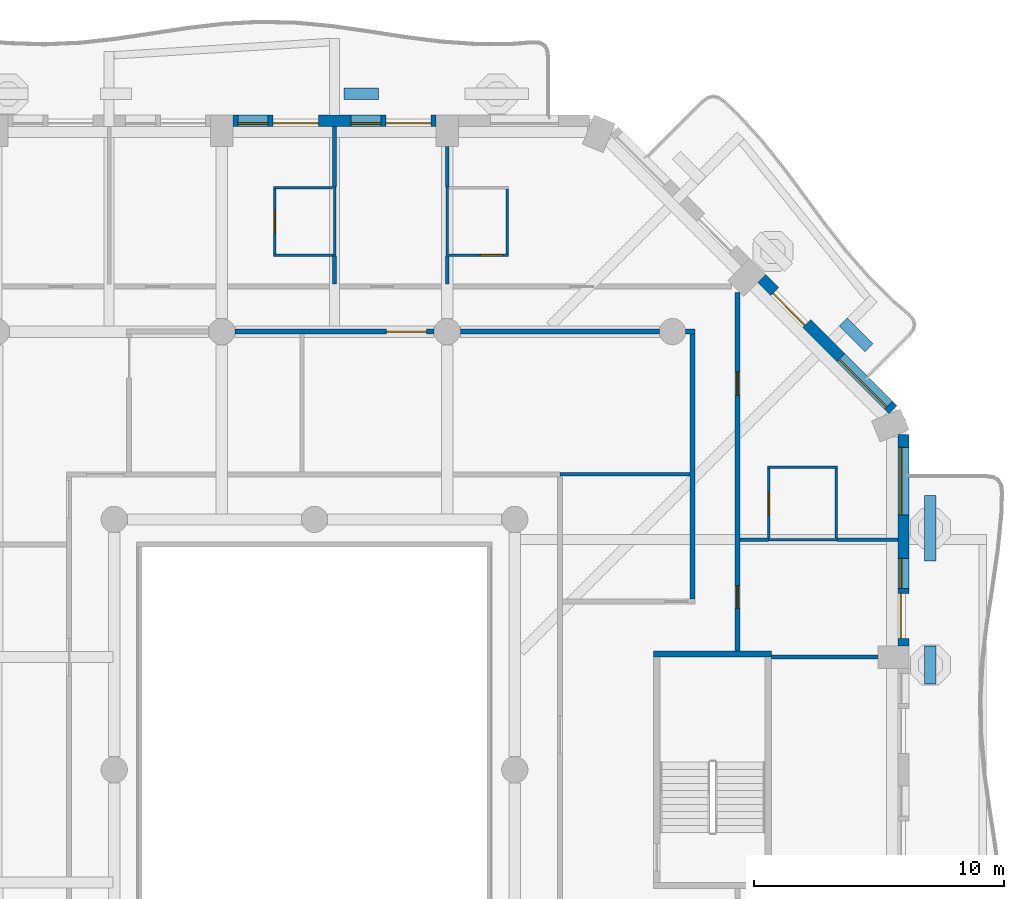
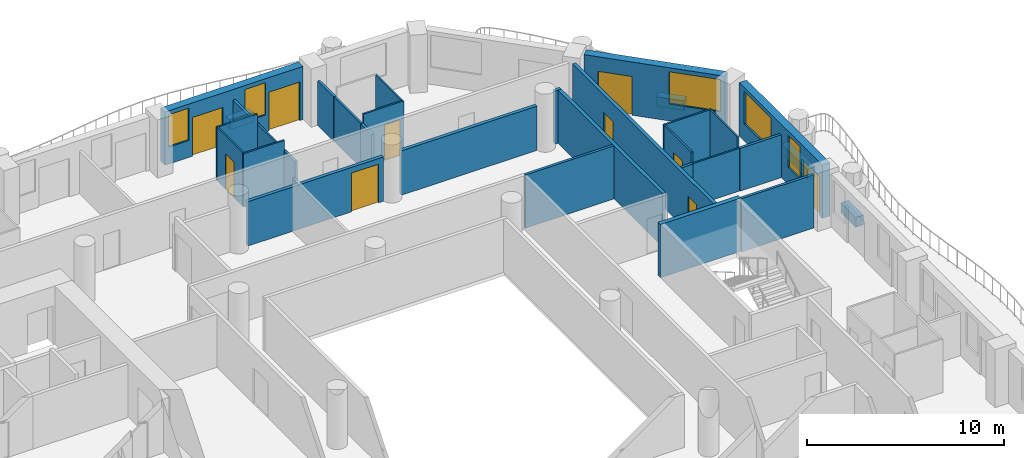
# One storey, part 9 of 21: 32 walls, 10 doors, 5 windows, 15 openings.
"""IFC4 building model written with IfcOpenShell, lengths in metres."""

import ifcopenshell
import ifcopenshell.guid

model = None  # the IFC model being written
_history = None  # IfcOwnerHistory: only IFC2X3 demands one
_inside = {}  # id of a spatial element -> (the spatial element, [elements in it])
_under = {}  # id of a project, library or spatial element -> (it, [spatial elements below it])
_declared = {}  # id of a project -> (the project, [libraries it declares])
_typed = {}  # id of a type object -> (the type object, [elements of that type])
_made_of = {}  # id of a material, layer set ... -> (it, [elements and type objects made of it])


def new_model(schema):
    """Start an empty IFC model of exactly this schema.

    Asked for "IFC4X3", IfcOpenShell would pick the latest addendum, in which some entities
    have other attributes; the version numbers below select the first issue.
    IFC2X3 requires an IfcOwnerHistory on every rooted entity: one is made here for all.
    """
    global model, _history
    if schema == "IFC4X3":
        model = ifcopenshell.file(schema_version=(4, 3, 0, 0))
    else:
        model = ifcopenshell.file(schema=schema)
    _inside.clear()
    _under.clear()
    _declared.clear()
    _typed.clear()
    _made_of.clear()
    _history = None
    if model.schema == "IFC2X3":
        org = make("IfcOrganization", Name="unknown")
        user = make(
            "IfcPersonAndOrganization",
            ThePerson=make("IfcPerson", FamilyName="unknown"),
            TheOrganization=org,
        )
        app = make(
            "IfcApplication",
            ApplicationDeveloper=org,
            Version="unknown",
            ApplicationFullName="unknown",
            ApplicationIdentifier="unknown",
        )
        _history = make(
            "IfcOwnerHistory",
            OwningUser=user,
            OwningApplication=app,
            ChangeAction="ADDED",
            CreationDate=0,
        )
    return model


def make(cls, **values):
    """One entity of the class cls with the attributes given. An attribute that is None is left unset."""
    return model.create_entity(
        cls, **{name: value for name, value in values.items() if value is not None}
    )


def rooted(cls, **values):
    """An entity with a GlobalId (a new one), such as an element, a storey or a relation."""
    return make(cls, GlobalId=ifcopenshell.guid.new(), OwnerHistory=_history, **values)


def si_unit(unit_type, name, prefix=None):
    """IfcSIUnit, for example si_unit("LENGTHUNIT", "METRE", prefix="MILLI")."""
    return make("IfcSIUnit", UnitType=unit_type, Prefix=prefix, Name=name)


def assignment(units):
    """IfcUnitAssignment: the units of a project."""
    return None if units is None else make("IfcUnitAssignment", Units=units)


def point(xyz):
    """IfcCartesianPoint."""
    return None if xyz is None else make("IfcCartesianPoint", Coordinates=xyz)


def direction(xyz):
    """IfcDirection."""
    return None if xyz is None else make("IfcDirection", DirectionRatios=xyz)


def frame(location, z_axis=None, x_axis=None):
    """IfcAxis2Placement3D, a coordinate frame: its origin and axes. An axis left out is left unset."""
    return make(
        "IfcAxis2Placement3D",
        Location=point(location),
        Axis=direction(z_axis),
        RefDirection=direction(x_axis),
    )


def frame_2d(location, x_axis=None):
    """IfcAxis2Placement2D, a coordinate frame in the plane: its origin and x axis."""
    return make(
        "IfcAxis2Placement2D", Location=point(location), RefDirection=direction(x_axis)
    )


def origin():
    """The frame at (0, 0, 0) with its axes left unset."""
    return frame((0.0, 0.0, 0.0))


def place(relative_to, where):
    """IfcLocalPlacement: puts the frame where relative to a parent placement (None: the world)."""
    return make(
        "IfcLocalPlacement", PlacementRelTo=relative_to, RelativePlacement=where
    )


def context(
    kind, dimensions, precision=None, world=None, true_north=None, identifier=None
):
    """IfcGeometricRepresentationContext, for example the 3D "Model" context."""
    return make(
        "IfcGeometricRepresentationContext",
        ContextIdentifier=identifier,
        ContextType=kind,
        CoordinateSpaceDimension=dimensions,
        Precision=precision,
        WorldCoordinateSystem=world,
        TrueNorth=true_north,
    )


def subcontext(parent, identifier, kind, view, scale=None):
    """IfcGeometricRepresentationSubContext, for example "Body" below "Model"."""
    return make(
        "IfcGeometricRepresentationSubContext",
        ContextIdentifier=identifier,
        ContextType=kind,
        ParentContext=parent,
        TargetScale=scale,
        TargetView=view,
    )


def project(units=None, contexts=None):
    """IfcProject with its units and contexts."""
    return rooted(
        "IfcProject",
        Name="project",
        RepresentationContexts=contexts,
        UnitsInContext=assignment(units),
    )


def spatial(cls, under=None, at=None, **own):
    """A site, building, storey or space (cls), placed at a placement, below another one or the project."""
    s = rooted(cls, ObjectPlacement=at, **own)
    if under is not None:
        _under.setdefault(under.id(), (under, []))[1].append(s)
    return s


def profile(cls, at=None, kind="AREA", **sizes):
    """A parametric profile (cls). Its sizes go by their IFC names, for example OverallWidth=200.0."""
    return make(cls, ProfileType=kind, Position=at, **sizes)


def rectangle(**sizes):
    """IfcRectangleProfileDef."""
    return profile("IfcRectangleProfileDef", **sizes)


def extrude(swept, where, along, depth):
    """IfcExtrudedAreaSolid: the profile swept, set in the frame where, extruded along a direction by depth."""
    return make(
        "IfcExtrudedAreaSolid",
        SweptArea=swept,
        Position=where,
        ExtrudedDirection=direction(along),
        Depth=depth,
    )


def shape(context_of_items, identifier, shape_type, items):
    """IfcShapeRepresentation: the items that make up one representation, for example the "Body"."""
    return make(
        "IfcShapeRepresentation",
        ContextOfItems=context_of_items,
        RepresentationIdentifier=identifier,
        RepresentationType=shape_type,
        Items=items,
    )


def material(Name=None, Category=None):
    """IfcMaterial."""
    return make("IfcMaterial", Name=Name, Category=Category)


def layer(
    of_material, thickness, ventilated=None, Name=None, Category=None, Priority=None
):
    """IfcMaterialLayer: one layer of a wall or slab, of a material (None: an air gap)."""
    return make(
        "IfcMaterialLayer",
        Material=of_material,
        LayerThickness=thickness,
        IsVentilated=ventilated,
        Name=Name,
        Category=Category,
        Priority=Priority,
    )


def layer_set(layers, Name=None):
    """IfcMaterialLayerSet."""
    return make("IfcMaterialLayerSet", MaterialLayers=layers, LayerSetName=Name)


def made_of(thing, what):
    """Note that an element or type object is made of a material, layer set ...; save() writes the relation."""
    if what is not None:
        _made_of.setdefault(what.id(), (what, []))[1].append(thing)
    return thing


def type_object(cls, material=None, **own):
    """A type object (cls), such as IfcWallType, which elements share."""
    return made_of(rooted(cls, **own), material)


def element(
    cls,
    number,
    at=None,
    inside=None,
    cuts=None,
    type_object=None,
    material=None,
    context=None,
    identifier="Body",
    shape_type=None,
    held_by="IfcProductDefinitionShape",
    body=None,
    shapes=None,
    **own,
):
    """One element of the class cls, such as IfcWall. Its Tag is "e" and its number.

    at: its placement. inside: the storey or other place that contains it. cuts: it is an
    opening in that element (IfcRelVoidsElement). A single representation is given by context,
    identifier, shape_type and body (its items); several are given by shapes. held_by: the class
    of the entity that holds the representations. save() writes the other relations.
    """
    e = rooted(cls, Tag="e%d" % number, ObjectPlacement=at, **own)
    if body is not None:
        shapes = [shape(context, identifier, shape_type, body)]
    if shapes is not None:
        e.Representation = make(held_by, Representations=shapes)
    if inside is not None:
        _inside.setdefault(inside.id(), (inside, []))[1].append(e)
    if cuts is not None:
        rooted(
            "IfcRelVoidsElement", RelatingBuildingElement=cuts, RelatedOpeningElement=e
        )
    if type_object is not None:
        _typed.setdefault(type_object.id(), (type_object, []))[1].append(e)
    return made_of(e, material)


def fill(opening, filler):
    """IfcRelFillsElement: the door or window that sits in an opening."""
    return rooted(
        "IfcRelFillsElement",
        RelatingOpeningElement=opening,
        RelatedBuildingElement=filler,
    )


def aggregate(whole, parts):
    """IfcRelAggregates: a whole, such as a stair, and the parts it consists of."""
    return rooted("IfcRelAggregates", RelatingObject=whole, RelatedObjects=parts)


def save(model, path):
    """Write the relations noted so far, then the file.

    IfcRelAggregates (storeys below a building ...), IfcRelContainedInSpatialStructure (elements
    in a storey), IfcRelDefinesByType, IfcRelAssociatesMaterial and IfcRelDeclares: one each for
    every whole, place, type object, material and project.
    """
    for whole, parts in _under.values():
        aggregate(whole, parts)
    for where, things in _inside.values():
        rooted(
            "IfcRelContainedInSpatialStructure",
            RelatedElements=things,
            RelatingStructure=where,
        )
    for kind, things in _typed.values():
        rooted("IfcRelDefinesByType", RelatedObjects=things, RelatingType=kind)
    for what, things in _made_of.values():
        rooted("IfcRelAssociatesMaterial", RelatedObjects=things, RelatingMaterial=what)
    for by, libraries in _declared.values():
        rooted("IfcRelDeclares", RelatingContext=by, RelatedDefinitions=libraries)
    model.write(path)


model = new_model("IFC4")

# Units and contexts
model_context = context("Model", 3, precision=1e-05, world=origin(), true_north=direction((0.0, 1.0)))
body_context = subcontext(model_context, "Body", "Model", "MODEL_VIEW")
ifc_project = project(units=[si_unit("LENGTHUNIT", "METRE"), si_unit("AREAUNIT", "SQUARE_METRE"), si_unit("VOLUMEUNIT", "CUBIC_METRE"), si_unit("PLANEANGLEUNIT", "RADIAN"), si_unit("MASSUNIT", "GRAM", prefix="KILO")], contexts=[model_context])

# Site, building, storey
site_placement = place(None, origin())
site = spatial("IfcSite", under=ifc_project, at=site_placement, CompositionType="ELEMENT")
building_placement = place(site_placement, origin())
building = spatial("IfcBuilding", under=site, at=building_placement, Name="Cypress Arch Tower", CompositionType="ELEMENT")
storey_placement = place(building_placement, frame((0.0, 0.0, 127.5)))
storey = spatial("IfcBuildingStorey", under=building, at=storey_placement, Name="L27", CompositionType="ELEMENT", Elevation=127.5)

# Walls
ifc_material_1 = material(Name="Concrete C40/50, waterproofed", Category="concrete")
ifc_layer_1 = layer(ifc_material_1, 0.449951171875)
ifc_layer_set_1 = layer_set([ifc_layer_1], Name="Balcony planter wall PW450")
wall_type_1 = type_object("IfcWallType", Name="Balcony planter wall PW450", PredefinedType="SOLIDWALL", material=ifc_layer_set_1)
wall_1_placement = place(storey_placement, frame((25.60009765625, 3.42138671875, 0.0), z_axis=(0.0, 0.0, 1.0), x_axis=(0.0, 1.0, 0.0)))
element("IfcWall", 1, at=wall_1_placement, inside=storey, type_object=wall_type_1, Name="Balcony planter wall L27-A06.3", PredefinedType="SOLIDWALL", context=body_context, shape_type="SweptSolid", body=[
    extrude(rectangle(XDim=1.5224609375, YDim=0.449951171875, at=frame_2d((0.76123046875, 0.0))), origin(), (0.0, 0.0, 1.0), 0.60009765625),
])
wall_2_placement = place(storey_placement, frame((25.60009765625, 8.335693359375, 0.0), z_axis=(0.0, 0.0, 1.0), x_axis=(0.0, 1.0, 0.0)))
element("IfcWall", 2, at=wall_2_placement, inside=storey, type_object=wall_type_1, Name="Balcony planter wall L27-A06.4", PredefinedType="SOLIDWALL", context=body_context, shape_type="SweptSolid", body=[
    extrude(rectangle(XDim=2.6142578125, YDim=0.449951171875, at=frame_2d((1.30712890625, 0.0))), origin(), (0.0, 0.0, 1.0), 0.60009765625),
])
wall_3_placement = place(storey_placement, frame((23.150390625, 16.86376953125, 0.0), z_axis=(0.0, 0.0, 1.0), x_axis=(-0.707106781187, 0.707106781187, 0.0)))
element("IfcWall", 3, at=wall_3_placement, inside=storey, type_object=wall_type_1, Name="Balcony planter wall L27-A07.1", PredefinedType="SOLIDWALL", context=body_context, shape_type="SweptSolid", body=[
    extrude(rectangle(XDim=1.44482421875, YDim=0.449951171875, at=frame_2d((0.722412109375, 0.0))), origin(), (0.0, 0.0, 1.0), 0.60009765625),
])
wall_4_placement = place(storey_placement, frame((3.550048828125, 27.0, 0.0), z_axis=(0.0, 0.0, 1.0), x_axis=(-1.0, 0.0, 0.0)))
element("IfcWall", 4, at=wall_4_placement, inside=storey, type_object=wall_type_1, Name="Balcony planter wall L27-A08.2", PredefinedType="SOLIDWALL", context=body_context, shape_type="SweptSolid", body=[
    extrude(rectangle(XDim=1.375, YDim=0.449951171875, at=frame_2d((0.6875, 0.0))), origin(), (0.0, 0.0, 1.0), 0.60009765625),
])

# Wall, openings, door, windows
ifc_material_2 = material(Name="Brick (red buff blend)", Category="masonry")
ifc_layer_2 = layer(ifc_material_2, 0.449951171875)
ifc_layer_set_2 = layer_set([ifc_layer_2], Name="Brick pier and spandrel wall BW450")
wall_type_2 = type_object("IfcWallType", Name="Brick pier and spandrel wall BW450", PredefinedType="SOLIDWALL", material=ifc_layer_set_2)
wall_5_placement = place(storey_placement, frame((24.52490234375, 4.949951171875, 0.0), z_axis=(0.0, 0.0, 1.0), x_axis=(0.0, 1.0, 0.0)))
wall_5 = element("IfcWall", 5, at=wall_5_placement, inside=storey, type_object=wall_type_2, Name="Brick wall L27 A06.3", PredefinedType="SOLIDWALL", context=body_context, shape_type="SweptSolid", body=[
    extrude(rectangle(XDim=8.438720703125, YDim=0.449951171875, at=frame_2d((4.21923828125, 0.0))), origin(), (0.0, 0.0, 1.0), 3.300048828125),
])
opening_1_placement = place(wall_5_placement, frame((0.2939453125, 0.0, 0.0)))
opening_1 = element("IfcOpeningElement", 6, at=opening_1_placement, cuts=wall_5, Name="Opening D-L27-A06.3.1", PredefinedType="OPENING", context=body_context, shape_type="SweptSolid", body=[
    extrude(rectangle(XDim=1.800048828125, YDim=2.39990234375, at=frame_2d((0.89990234375, 1.199951171875))), frame((0.0, 0.23486328125, 0.0), z_axis=(0.0, -1.0, 0.0), x_axis=(1.0, 0.0, 0.0)), (0.0, 0.0, 1.0), 0.469970703125),
])
opening_2_placement = place(wall_5_placement, frame((2.2939453125, 0.0, 1.050048828125)))
opening_2 = element("IfcOpeningElement", 7, at=opening_2_placement, cuts=wall_5, Name="Opening W120HD", PredefinedType="OPENING", context=body_context, shape_type="SweptSolid", body=[
    extrude(rectangle(XDim=1.199951171875, YDim=2.0, at=frame_2d((0.60009765625, 1.0))), frame((0.0, 0.23486328125, 0.0), z_axis=(0.0, -1.0, 0.0), x_axis=(1.0, 0.0, 0.0)), (0.0, 0.0, 1.0), 0.469970703125),
])
opening_3_placement = place(wall_5_placement, frame((5.231689453125, 0.0, 1.050048828125)))
opening_3 = element("IfcOpeningElement", 8, at=opening_3_placement, cuts=wall_5, Name="Opening W270HD", PredefinedType="OPENING", context=body_context, shape_type="SweptSolid", body=[
    extrude(rectangle(XDim=2.699951171875, YDim=2.0, at=frame_2d((1.35009765625, 1.0))), frame((0.0, 0.23486328125, 0.0), z_axis=(0.0, -1.0, 0.0), x_axis=(1.0, 0.0, 0.0)), (0.0, 0.0, 1.0), 0.469970703125),
])
ifc_material_3 = material(Name="Anodised aluminium, bronze finish, laminated low-emissivity double glazing, large-missile impact rated", Category="aluminium")
door_type_1 = type_object("IfcDoorType", Name="Balcony sliding door 1800x2400", OperationType="SLIDING_TO_LEFT", PredefinedType="DOOR", material=ifc_material_3)
door_1_placement = place(opening_1_placement, origin())
door_1 = element("IfcDoor", 9, at=door_1_placement, inside=storey, type_object=door_type_1, Name="Balcony door L27 A06.3.1", OperationType="SLIDING_TO_LEFT", OverallHeight=2.39990234375, OverallWidth=1.800048828125, PredefinedType="DOOR", context=body_context, shape_type="SweptSolid", body=[
    extrude(rectangle(XDim=1.800048828125, YDim=2.39990234375, at=frame_2d((0.89990234375, 1.199951171875))), frame((0.0, 0.1298828125, 0.0), z_axis=(0.0, -1.0, 0.0), x_axis=(1.0, 0.0, 0.0)), (0.0, 0.0, 1.0), 0.050048828125),
])
fill(opening_1, door_1)
ifc_material_4 = material(Name="Anodised aluminium, bronze finish, laminated low-emissivity double glazing, large-missile impact rated", Category="aluminium")
window_type_1 = type_object("IfcWindowType", Name="Window Hotel 1200x2000 debris-rated", PartitioningType="SINGLE_PANEL", PredefinedType="WINDOW", material=ifc_material_4)
window_1_placement = place(opening_2_placement, origin())
window_1 = element("IfcWindow", 10, at=window_1_placement, inside=storey, type_object=window_type_1, Name="Window L27 A06.3.1", OverallHeight=2.0, OverallWidth=1.199951171875, PartitioningType="SINGLE_PANEL", PredefinedType="WINDOW", context=body_context, shape_type="SweptSolid", body=[
    extrude(rectangle(XDim=1.199951171875, YDim=2.0, at=frame_2d((0.60009765625, 1.0))), frame((0.0, 0.135009765625, 0.0), z_axis=(0.0, -1.0, 0.0), x_axis=(1.0, 0.0, 0.0)), (0.0, 0.0, 1.0), 0.06005859375),
])
fill(opening_2, window_1)
ifc_material_5 = material(Name="Anodised aluminium, bronze finish, laminated low-emissivity double glazing, large-missile impact rated", Category="aluminium")
window_type_2 = type_object("IfcWindowType", Name="Window Hotel 2700x2000 debris-rated", PartitioningType="SINGLE_PANEL", PredefinedType="WINDOW", material=ifc_material_5)
window_2_placement = place(opening_3_placement, origin())
window_2 = element("IfcWindow", 11, at=window_2_placement, inside=storey, type_object=window_type_2, Name="Window L27 A06.3.2", OverallHeight=2.0, OverallWidth=2.699951171875, PartitioningType="SINGLE_PANEL", PredefinedType="WINDOW", context=body_context, shape_type="SweptSolid", body=[
    extrude(rectangle(XDim=2.699951171875, YDim=2.0, at=frame_2d((1.35009765625, 1.0))), frame((0.0, 0.135009765625, 0.0), z_axis=(0.0, -1.0, 0.0), x_axis=(1.0, 0.0, 0.0)), (0.0, 0.0, 1.0), 0.06005859375),
])
fill(opening_3, window_2)

# Wall, openings, door, window
wall_6_placement = place(storey_placement, frame((24.11474609375, 14.379150390625, 0.0), z_axis=(0.0, 0.0, 1.0), x_axis=(-0.707106781187, 0.707106781187, 0.0)))
wall_6 = element("IfcWall", 12, at=wall_6_placement, inside=storey, type_object=wall_type_2, Name="Brick wall L27 A07.0", PredefinedType="SOLIDWALL", context=body_context, shape_type="SweptSolid", body=[
    extrude(rectangle(XDim=7.423828125, YDim=0.449951171875, at=frame_2d((3.7119140625, 0.0))), origin(), (0.0, 0.0, 1.0), 3.300048828125),
])
opening_4_placement = place(wall_6_placement, frame((0.253173828125, 0.0, 1.050048828125)))
opening_4 = element("IfcOpeningElement", 13, at=opening_4_placement, cuts=wall_6, Name="Opening W270HD", PredefinedType="OPENING", context=body_context, shape_type="SweptSolid", body=[
    extrude(rectangle(XDim=2.699951171875, YDim=2.0, at=frame_2d((1.35009765625, 1.0))), frame((0.0, 0.23486328125, 0.0), z_axis=(0.0, -1.0, 0.0), x_axis=(1.0, 0.0, 0.0)), (0.0, 0.0, 1.0), 0.469970703125),
])
opening_5_placement = place(wall_6_placement, frame((4.8837890625, 0.0, 0.0)))
opening_5 = element("IfcOpeningElement", 14, at=opening_5_placement, cuts=wall_6, Name="Opening D-L27-A07.0.2", PredefinedType="OPENING", context=body_context, shape_type="SweptSolid", body=[
    extrude(rectangle(XDim=1.800048828125, YDim=2.39990234375, at=frame_2d((0.89990234375, 1.199951171875))), frame((0.0, 0.23486328125, 0.0), z_axis=(0.0, -1.0, 0.0), x_axis=(1.0, 0.0, 0.0)), (0.0, 0.0, 1.0), 0.469970703125),
])
door_2_placement = place(opening_5_placement, origin())
door_2 = element("IfcDoor", 15, at=door_2_placement, inside=storey, type_object=door_type_1, Name="Balcony door L27 A07.0.2", OperationType="SLIDING_TO_LEFT", OverallHeight=2.39990234375, OverallWidth=1.800048828125, PredefinedType="DOOR", context=body_context, shape_type="SweptSolid", body=[
    extrude(rectangle(XDim=1.800048828125, YDim=2.39990234375, at=frame_2d((0.89990234375, 1.199951171875))), frame((0.0, 0.1298828125, 0.0), z_axis=(0.0, -1.0, 0.0), x_axis=(1.0, 0.0, 0.0)), (0.0, 0.0, 1.0), 0.050048828125),
])
fill(opening_5, door_2)
window_3_placement = place(opening_4_placement, origin())
window_3 = element("IfcWindow", 16, at=window_3_placement, inside=storey, type_object=window_type_2, Name="Window L27 A07.0.1", OverallHeight=2.0, OverallWidth=2.699951171875, PartitioningType="SINGLE_PANEL", PredefinedType="WINDOW", context=body_context, shape_type="SweptSolid", body=[
    extrude(rectangle(XDim=2.699951171875, YDim=2.0, at=frame_2d((1.35009765625, 1.0))), frame((0.0, 0.135009765625, 0.0), z_axis=(0.0, -1.0, 0.0), x_axis=(1.0, 0.0, 0.0)), (0.0, 0.0, 1.0), 0.06005859375),
])
fill(opening_4, window_3)

# Wall, openings, doors, windows
wall_7_placement = place(storey_placement, frame((5.85009765625, 25.925048828125, 0.0), z_axis=(0.0, 0.0, 1.0), x_axis=(-1.0, 0.0, 0.0)))
wall_7 = element("IfcWall", 17, at=wall_7_placement, inside=storey, type_object=wall_type_2, Name="Brick wall L27 A08.1", PredefinedType="SOLIDWALL", context=body_context, shape_type="SweptSolid", body=[
    extrude(rectangle(XDim=8.10009765625, YDim=0.449951171875, at=frame_2d((4.050048828125, 0.0))), origin(), (0.0, 0.0, 1.0), 3.300048828125),
])
opening_6_placement = place(wall_7_placement, frame((0.199951171875, 0.0, 0.0)))
opening_6 = element("IfcOpeningElement", 18, at=opening_6_placement, cuts=wall_7, Name="Opening D-L27-A08.1.1", PredefinedType="OPENING", context=body_context, shape_type="SweptSolid", body=[
    extrude(rectangle(XDim=1.800048828125, YDim=2.39990234375, at=frame_2d((0.89990234375, 1.199951171875))), frame((0.0, 0.23486328125, 0.0), z_axis=(0.0, -1.0, 0.0), x_axis=(1.0, 0.0, 0.0)), (0.0, 0.0, 1.0), 0.469970703125),
])
opening_7_placement = place(wall_7_placement, frame((2.199951171875, 0.0, 1.050048828125)))
opening_7 = element("IfcOpeningElement", 19, at=opening_7_placement, cuts=wall_7, Name="Opening W120HD", PredefinedType="OPENING", context=body_context, shape_type="SweptSolid", body=[
    extrude(rectangle(XDim=1.199951171875, YDim=2.0, at=frame_2d((0.60009765625, 1.0))), frame((0.0, 0.23486328125, 0.0), z_axis=(0.0, -1.0, 0.0), x_axis=(1.0, 0.0, 0.0)), (0.0, 0.0, 1.0), 0.469970703125),
])
opening_8_placement = place(wall_7_placement, frame((4.699951171875, 0.0, 0.0)))
opening_8 = element("IfcOpeningElement", 20, at=opening_8_placement, cuts=wall_7, Name="Opening D-L27-A08.1.2", PredefinedType="OPENING", context=body_context, shape_type="SweptSolid", body=[
    extrude(rectangle(XDim=1.800048828125, YDim=2.39990234375, at=frame_2d((0.89990234375, 1.199951171875))), frame((0.0, 0.23486328125, 0.0), z_axis=(0.0, -1.0, 0.0), x_axis=(1.0, 0.0, 0.0)), (0.0, 0.0, 1.0), 0.469970703125),
])
opening_9_placement = place(wall_7_placement, frame((6.699951171875, 0.0, 1.050048828125)))
opening_9 = element("IfcOpeningElement", 21, at=opening_9_placement, cuts=wall_7, Name="Opening W120HD", PredefinedType="OPENING", context=body_context, shape_type="SweptSolid", body=[
    extrude(rectangle(XDim=1.199951171875, YDim=2.0, at=frame_2d((0.60009765625, 1.0))), frame((0.0, 0.23486328125, 0.0), z_axis=(0.0, -1.0, 0.0), x_axis=(1.0, 0.0, 0.0)), (0.0, 0.0, 1.0), 0.469970703125),
])
door_3_placement = place(opening_6_placement, origin())
door_3 = element("IfcDoor", 22, at=door_3_placement, inside=storey, type_object=door_type_1, Name="Balcony door L27 A08.1.1", OperationType="SLIDING_TO_LEFT", OverallHeight=2.39990234375, OverallWidth=1.800048828125, PredefinedType="DOOR", context=body_context, shape_type="SweptSolid", body=[
    extrude(rectangle(XDim=1.800048828125, YDim=2.39990234375, at=frame_2d((0.89990234375, 1.199951171875))), frame((0.0, 0.1298828125, 0.0), z_axis=(0.0, -1.0, 0.0), x_axis=(1.0, 0.0, 0.0)), (0.0, 0.0, 1.0), 0.050048828125),
])
fill(opening_6, door_3)
door_4_placement = place(opening_8_placement, origin())
door_4 = element("IfcDoor", 23, at=door_4_placement, inside=storey, type_object=door_type_1, Name="Balcony door L27 A08.1.2", OperationType="SLIDING_TO_LEFT", OverallHeight=2.39990234375, OverallWidth=1.800048828125, PredefinedType="DOOR", context=body_context, shape_type="SweptSolid", body=[
    extrude(rectangle(XDim=1.800048828125, YDim=2.39990234375, at=frame_2d((0.89990234375, 1.199951171875))), frame((0.0, 0.1298828125, 0.0), z_axis=(0.0, -1.0, 0.0), x_axis=(1.0, 0.0, 0.0)), (0.0, 0.0, 1.0), 0.050048828125),
])
fill(opening_8, door_4)
window_4_placement = place(opening_7_placement, origin())
window_4 = element("IfcWindow", 24, at=window_4_placement, inside=storey, type_object=window_type_1, Name="Window L27 A08.1.1", OverallHeight=2.0, OverallWidth=1.199951171875, PartitioningType="SINGLE_PANEL", PredefinedType="WINDOW", context=body_context, shape_type="SweptSolid", body=[
    extrude(rectangle(XDim=1.199951171875, YDim=2.0, at=frame_2d((0.60009765625, 1.0))), frame((0.0, 0.135009765625, 0.0), z_axis=(0.0, -1.0, 0.0), x_axis=(1.0, 0.0, 0.0)), (0.0, 0.0, 1.0), 0.06005859375),
])
fill(opening_7, window_4)
window_5_placement = place(opening_9_placement, origin())
window_5 = element("IfcWindow", 25, at=window_5_placement, inside=storey, type_object=window_type_1, Name="Window L27 A08.1.2", OverallHeight=2.0, OverallWidth=1.199951171875, PartitioningType="SINGLE_PANEL", PredefinedType="WINDOW", context=body_context, shape_type="SweptSolid", body=[
    extrude(rectangle(XDim=1.199951171875, YDim=2.0, at=frame_2d((0.60009765625, 1.0))), frame((0.0, 0.135009765625, 0.0), z_axis=(0.0, -1.0, 0.0), x_axis=(1.0, 0.0, 0.0)), (0.0, 0.0, 1.0), 0.06005859375),
])
fill(opening_9, window_5)

# Wall, opening, door
ifc_material_6 = material(Name="Concrete blockwork, plastered, rated", Category="masonry")
ifc_layer_3 = layer(ifc_material_6, 0.199951171875)
ifc_layer_set_3 = layer_set([ifc_layer_3], Name="Corridor wall FW200")
wall_type_3 = type_object("IfcWallType", Name="Corridor wall FW200", PredefinedType="PARTITIONING", material=ifc_layer_set_3)
wall_8_placement = place(storey_placement, frame((-2.175048828125, 17.5, 0.0), z_axis=(0.0, 0.0, 1.0), x_axis=(1.0, 0.0, 0.0)))
wall_8 = element("IfcWall", 26, at=wall_8_placement, inside=storey, type_object=wall_type_3, Name="Corridor wall", PredefinedType="PARTITIONING", context=body_context, shape_type="SweptSolid", body=[
    extrude(rectangle(XDim=7.949951171875, YDim=0.199951171875, at=frame_2d((3.97509765625, 0.0))), origin(), (0.0, 0.0, 1.0), 2.75),
])
opening_10_placement = place(wall_8_placement, frame((6.050048828125, 0.0, 0.0)))
opening_10 = element("IfcOpeningElement", 27, at=opening_10_placement, cuts=wall_8, Name="Opening D10", PredefinedType="OPENING", context=body_context, shape_type="SweptSolid", body=[
    extrude(rectangle(XDim=1.60009765625, YDim=2.39990234375, at=frame_2d((0.800048828125, 1.199951171875))), frame((0.0, 0.10986328125, 0.0), z_axis=(0.0, -1.0, 0.0), x_axis=(1.0, 0.0, 0.0)), (0.0, 0.0, 1.0), 0.219970703125),
])
ifc_material_7 = material(Name="Black aluminium glazed door", Category="aluminium")
door_type_2 = type_object("IfcDoorType", Name="Amenity door D10 1600x2400", OperationType="DOUBLE_DOOR_SINGLE_SWING", PredefinedType="DOOR", material=ifc_material_7)
door_5_placement = place(opening_10_placement, origin())
door_5 = element("IfcDoor", 28, at=door_5_placement, inside=storey, type_object=door_type_2, Name="Amenity door", OperationType="DOUBLE_DOOR_SINGLE_SWING", OverallHeight=2.39990234375, OverallWidth=1.60009765625, PredefinedType="DOOR", context=body_context, shape_type="SweptSolid", body=[
    extrude(rectangle(XDim=1.60009765625, YDim=2.39990234375, at=frame_2d((0.800048828125, 1.199951171875))), frame((0.0, 0.02490234375, 0.0), z_axis=(0.0, -1.0, 0.0), x_axis=(1.0, 0.0, 0.0)), (0.0, 0.0, 1.0), 0.050048828125),
])
fill(opening_10, door_5)

# Walls
wall_9_placement = place(storey_placement, frame((6.824951171875, 17.5, 0.0), z_axis=(0.0, 0.0, 1.0), x_axis=(1.0, 0.0, 0.0)))
element("IfcWall", 29, at=wall_9_placement, inside=storey, type_object=wall_type_3, Name="Corridor wall", PredefinedType="PARTITIONING", context=body_context, shape_type="SweptSolid", body=[
    extrude(rectangle(XDim=7.949951171875, YDim=0.199951171875, at=frame_2d((3.97509765625, 0.0))), origin(), (0.0, 0.0, 1.0), 2.75),
])
wall_10_placement = place(storey_placement, frame((15.824951171875, 17.5, 0.0), z_axis=(0.0, 0.0, 1.0), x_axis=(1.0, 0.0, 0.0)))
element("IfcWall", 30, at=wall_10_placement, inside=storey, type_object=wall_type_3, Name="Corridor wall", PredefinedType="PARTITIONING", context=body_context, shape_type="SweptSolid", body=[
    extrude(rectangle(XDim=0.375, YDim=0.199951171875, at=frame_2d((0.1875, 0.0))), origin(), (0.0, 0.0, 1.0), 3.300048828125),
])
wall_11_placement = place(storey_placement, frame((16.10009765625, 6.824951171875, 0.0), z_axis=(0.0, 0.0, 1.0), x_axis=(0.0, 1.0, 0.0)))
element("IfcWall", 31, at=wall_11_placement, inside=storey, type_object=wall_type_3, Name="Corridor wall", PredefinedType="PARTITIONING", context=body_context, shape_type="SweptSolid", body=[
    extrude(rectangle(XDim=10.574951171875, YDim=0.199951171875, at=frame_2d((5.28759765625, 0.0))), origin(), (0.0, 0.0, 1.0), 3.300048828125),
])

# Wall, openings, doors
wall_12_placement = place(storey_placement, frame((17.89990234375, 4.75, 0.0), z_axis=(0.0, 0.0, 1.0), x_axis=(0.0, 1.0, 0.0)))
wall_12 = element("IfcWall", 32, at=wall_12_placement, inside=storey, type_object=wall_type_3, Name="Corridor wall", PredefinedType="PARTITIONING", context=body_context, shape_type="SweptSolid", body=[
    extrude(rectangle(XDim=14.314453125, YDim=0.199951171875, at=frame_2d((7.1572265625, 0.0))), origin(), (0.0, 0.0, 1.0), 3.300048828125),
])
opening_11_placement = place(wall_12_placement, frame((1.699951171875, 0.0, 0.0)))
opening_11 = element("IfcOpeningElement", 33, at=opening_11_placement, cuts=wall_12, Name="Opening D05", PredefinedType="OPENING", context=body_context, shape_type="SweptSolid", body=[
    extrude(rectangle(XDim=0.89990234375, YDim=2.199951171875, at=frame_2d((0.449951171875, 1.10009765625))), frame((0.0, 0.10986328125, 0.0), z_axis=(0.0, -1.0, 0.0), x_axis=(1.0, 0.0, 0.0)), (0.0, 0.0, 1.0), 0.219970703125),
])
opening_12_placement = place(wall_12_placement, frame((10.199951171875, 0.0, 0.0)))
opening_12 = element("IfcOpeningElement", 34, at=opening_12_placement, cuts=wall_12, Name="Opening D02", PredefinedType="OPENING", context=body_context, shape_type="SweptSolid", body=[
    extrude(rectangle(XDim=0.949951171875, YDim=2.199951171875, at=frame_2d((0.47509765625, 1.10009765625))), frame((0.0, 0.10986328125, 0.0), z_axis=(0.0, -1.0, 0.0), x_axis=(1.0, 0.0, 0.0)), (0.0, 0.0, 1.0), 0.219970703125),
])
ifc_material_8 = material(Name="Timber flush door, fire resisting", Category="wood")
door_type_3 = type_object("IfcDoorType", Name="Room door D02 950x2200", OperationType="SINGLE_SWING_LEFT", PredefinedType="DOOR", material=ifc_material_8)
door_6_placement = place(opening_12_placement, origin())
door_6 = element("IfcDoor", 35, at=door_6_placement, inside=storey, type_object=door_type_3, Name="Room door", OperationType="SINGLE_SWING_LEFT", OverallHeight=2.199951171875, OverallWidth=0.949951171875, PredefinedType="DOOR", context=body_context, shape_type="SweptSolid", body=[
    extrude(rectangle(XDim=0.949951171875, YDim=2.199951171875, at=frame_2d((0.47509765625, 1.10009765625))), frame((0.0, 0.02490234375, 0.0), z_axis=(0.0, -1.0, 0.0), x_axis=(1.0, 0.0, 0.0)), (0.0, 0.0, 1.0), 0.050048828125),
])
fill(opening_12, door_6)
ifc_material_9 = material(Name="Timber flush door", Category="wood")
door_type_4 = type_object("IfcDoorType", Name="Service door D05 900x2200", OperationType="SINGLE_SWING_LEFT", PredefinedType="DOOR", material=ifc_material_9)
door_7_placement = place(opening_11_placement, origin())
door_7 = element("IfcDoor", 36, at=door_7_placement, inside=storey, type_object=door_type_4, Name="Service door", OperationType="SINGLE_SWING_RIGHT", OverallHeight=2.199951171875, OverallWidth=0.89990234375, PredefinedType="DOOR", context=body_context, shape_type="SweptSolid", body=[
    extrude(rectangle(XDim=0.89990234375, YDim=2.199951171875, at=frame_2d((0.449951171875, 1.10009765625))), frame((0.0, 0.02490234375, 0.0), z_axis=(0.0, -1.0, 0.0), x_axis=(1.0, 0.0, 0.0)), (0.0, 0.0, 1.0), 0.050048828125),
])
fill(opening_11, door_7)

# Walls
ifc_material_10 = material(Name="Blockwork, plastered both sides", Category="masonry")
ifc_layer_4 = layer(ifc_material_10, 0.14990234375)
ifc_layer_set_4 = layer_set([ifc_layer_4], Name="Partition PW150")
wall_type_4 = type_object("IfcWallType", Name="Partition PW150", PredefinedType="PARTITIONING", material=ifc_layer_set_4)
wall_13_placement = place(storey_placement, frame((1.800048828125, 19.39990234375, 0.0), z_axis=(0.0, 0.0, 1.0), x_axis=(0.0, 1.0, 0.0)))
element("IfcWall", 37, at=wall_13_placement, inside=storey, type_object=wall_type_4, Name="Partition", PredefinedType="PARTITIONING", context=body_context, shape_type="SweptSolid", body=[
    extrude(rectangle(XDim=1.130126953125, YDim=0.14990234375, at=frame_2d((0.56494140625, 0.0))), origin(), (0.0, 0.0, 1.0), 2.64990234375),
])
wall_14_placement = place(storey_placement, frame((1.800048828125, 23.27001953125, 0.0), z_axis=(0.0, 0.0, 1.0), x_axis=(0.0, 1.0, 0.0)))
element("IfcWall", 38, at=wall_14_placement, inside=storey, type_object=wall_type_4, Name="Partition", PredefinedType="PARTITIONING", context=body_context, shape_type="SweptSolid", body=[
    extrude(rectangle(XDim=2.429931640625, YDim=0.14990234375, at=frame_2d((1.21484375, 0.0))), origin(), (0.0, 0.0, 1.0), 2.64990234375),
])
wall_15_placement = place(storey_placement, frame((6.300048828125, 19.39990234375, 0.0), z_axis=(0.0, 0.0, 1.0), x_axis=(0.0, 1.0, 0.0)))
element("IfcWall", 39, at=wall_15_placement, inside=storey, type_object=wall_type_4, Name="Partition", PredefinedType="PARTITIONING", context=body_context, shape_type="SweptSolid", body=[
    extrude(rectangle(XDim=1.130126953125, YDim=0.14990234375, at=frame_2d((0.56494140625, 0.0))), origin(), (0.0, 0.0, 1.0), 2.75),
])
wall_16_placement = place(storey_placement, frame((6.300048828125, 23.27001953125, 0.0), z_axis=(0.0, 0.0, 1.0), x_axis=(0.0, 1.0, 0.0)))
element("IfcWall", 40, at=wall_16_placement, inside=storey, type_object=wall_type_4, Name="Partition", PredefinedType="PARTITIONING", context=body_context, shape_type="SweptSolid", body=[
    extrude(rectangle(XDim=1.6298828125, YDim=0.14990234375, at=frame_2d((0.81494140625, 0.0))), origin(), (0.0, 0.0, 1.0), 2.75),
])
wall_17_placement = place(storey_placement, frame((10.800048828125, 11.800048828125, 0.0), z_axis=(0.0, 0.0, 1.0), x_axis=(1.0, 0.0, 0.0)))
element("IfcWall", 41, at=wall_17_placement, inside=storey, type_object=wall_type_4, Name="Partition", PredefinedType="PARTITIONING", context=body_context, shape_type="SweptSolid", body=[
    extrude(rectangle(XDim=5.199951171875, YDim=0.14990234375, at=frame_2d((2.60009765625, 0.0))), origin(), (0.0, 0.0, 1.0), 3.300048828125),
])
wall_18_placement = place(storey_placement, frame((18.0, 9.18994140625, 0.0), z_axis=(0.0, 0.0, 1.0), x_axis=(1.0, 0.0, 0.0)))
element("IfcWall", 42, at=wall_18_placement, inside=storey, type_object=wall_type_4, Name="Partition", PredefinedType="PARTITIONING", context=body_context, shape_type="SweptSolid", body=[
    extrude(rectangle(XDim=1.1298828125, YDim=0.14990234375, at=frame_2d((0.56494140625, 0.0))), origin(), (0.0, 0.0, 1.0), 2.64990234375),
])
wall_19_placement = place(storey_placement, frame((19.25, 4.5, 0.0), z_axis=(0.0, 0.0, 1.0), x_axis=(1.0, 0.0, 0.0)))
element("IfcWall", 43, at=wall_19_placement, inside=storey, type_object=wall_type_4, Name="Partition", PredefinedType="PARTITIONING", context=body_context, shape_type="SweptSolid", body=[
    extrude(rectangle(XDim=4.25, YDim=0.14990234375, at=frame_2d((2.125, 0.0))), origin(), (0.0, 0.0, 1.0), 3.300048828125),
])
wall_20_placement = place(storey_placement, frame((21.8701171875, 9.18994140625, 0.0), z_axis=(0.0, 0.0, 1.0), x_axis=(1.0, 0.0, 0.0)))
element("IfcWall", 44, at=wall_20_placement, inside=storey, type_object=wall_type_4, Name="Partition", PredefinedType="PARTITIONING", context=body_context, shape_type="SweptSolid", body=[
    extrude(rectangle(XDim=2.429931640625, YDim=0.14990234375, at=frame_2d((1.21484375, 0.0))), origin(), (0.0, 0.0, 1.0), 2.64990234375),
])
ifc_material_11 = material(Name="Concrete C50/60", Category="concrete")
ifc_layer_5 = layer(ifc_material_11, 0.25)
ifc_layer_set_5 = layer_set([ifc_layer_5], Name="Stair enclosure wall SW250")
wall_type_5 = type_object("IfcWallType", Name="Stair enclosure wall SW250", PredefinedType="SHEAR", material=ifc_layer_set_5)
wall_21_placement = place(storey_placement, frame((14.550048828125, 4.625, 0.0), z_axis=(0.0, 0.0, 1.0), x_axis=(1.0, 0.0, 0.0)))
element("IfcWall", 45, at=wall_21_placement, inside=storey, type_object=wall_type_5, Name="Stair enclosure wall", PredefinedType="SHEAR", context=body_context, shape_type="SweptSolid", body=[
    extrude(rectangle(XDim=4.699951171875, YDim=0.25, at=frame_2d((2.35009765625, 0.0))), origin(), (0.0, 0.0, 1.0), 3.300048828125),
])

# Wall, opening, door
ifc_material_12 = material(Name="Moisture resistant board on steel studs, tiled", Category="steel")
ifc_layer_6 = layer(ifc_material_12, 0.10009765625)
ifc_layer_set_6 = layer_set([ifc_layer_6], Name="Wet wall PW100")
wall_type_6 = type_object("IfcWallType", Name="Wet wall PW100", PredefinedType="PARTITIONING", material=ifc_layer_set_6)
wall_22_placement = place(storey_placement, frame((-0.595947265625, 20.60009765625, 0.0), z_axis=(0.0, 0.0, 1.0), x_axis=(0.0, 1.0, 0.0)))
wall_22 = element("IfcWall", 46, at=wall_22_placement, inside=storey, type_object=wall_type_6, Name="Wet wall", PredefinedType="PARTITIONING", context=body_context, shape_type="SweptSolid", body=[
    extrude(rectangle(XDim=2.599853515625, YDim=0.10009765625, at=frame_2d((1.2998046875, 0.0))), origin(), (0.0, 0.0, 1.0), 3.300048828125),
])
opening_13_placement = place(wall_22_placement, frame((0.85009765625, 0.0, 0.0)))
opening_13 = element("IfcOpeningElement", 47, at=opening_13_placement, cuts=wall_22, Name="Opening D03", PredefinedType="OPENING", context=body_context, shape_type="SweptSolid", body=[
    extrude(rectangle(XDim=0.89990234375, YDim=2.199951171875, at=frame_2d((0.449951171875, 1.10009765625))), frame((0.0, 0.06005859375, 0.0), z_axis=(0.0, -1.0, 0.0), x_axis=(1.0, 0.0, 0.0)), (0.0, 0.0, 1.0), 0.1201171875),
])
ifc_material_13 = material(Name="Timber flush door, moisture resistant", Category="wood")
door_type_5 = type_object("IfcDoorType", Name="Bathroom door D03 900x2200", OperationType="SINGLE_SWING_LEFT", PredefinedType="DOOR", material=ifc_material_13)
door_8_placement = place(opening_13_placement, origin())
door_8 = element("IfcDoor", 48, at=door_8_placement, inside=storey, type_object=door_type_5, Name="Bathroom door", OperationType="SINGLE_SWING_LEFT", OverallHeight=2.199951171875, OverallWidth=0.89990234375, PredefinedType="DOOR", context=body_context, shape_type="SweptSolid", body=[
    extrude(rectangle(XDim=0.89990234375, YDim=2.199951171875, at=frame_2d((0.449951171875, 1.10009765625))), frame((0.0, 0.02490234375, 0.0), z_axis=(0.0, -1.0, 0.0), x_axis=(1.0, 0.0, 0.0)), (0.0, 0.0, 1.0), 0.050048828125),
])
fill(opening_13, door_8)

# Walls
wall_23_placement = place(storey_placement, frame((-0.64599609375, 20.550048828125, 0.0), z_axis=(0.0, 0.0, 1.0), x_axis=(1.0, 0.0, 0.0)))
element("IfcWall", 49, at=wall_23_placement, inside=storey, type_object=wall_type_6, Name="Wet wall", PredefinedType="PARTITIONING", context=body_context, shape_type="SweptSolid", body=[
    extrude(rectangle(XDim=2.39599609375, YDim=0.10009765625, at=frame_2d((1.197998046875, 0.0))), origin(), (0.0, 0.0, 1.0), 3.300048828125),
])
wall_24_placement = place(storey_placement, frame((-0.64599609375, 23.25, 0.0), z_axis=(0.0, 0.0, 1.0), x_axis=(1.0, 0.0, 0.0)))
element("IfcWall", 50, at=wall_24_placement, inside=storey, type_object=wall_type_6, Name="Wet wall", PredefinedType="PARTITIONING", context=body_context, shape_type="SweptSolid", body=[
    extrude(rectangle(XDim=2.37109375, YDim=0.10009765625, at=frame_2d((1.185546875, 0.0))), origin(), (0.0, 0.0, 1.0), 3.300048828125),
])
wall_25_placement = place(storey_placement, frame((1.800048828125, 20.530029296875, 0.0), z_axis=(0.0, 0.0, 1.0), x_axis=(0.0, 1.0, 0.0)))
element("IfcWall", 51, at=wall_25_placement, inside=storey, type_object=wall_type_6, Name="Wet wall", PredefinedType="PARTITIONING", context=body_context, shape_type="SweptSolid", body=[
    extrude(rectangle(XDim=2.739990234375, YDim=0.10009765625, at=frame_2d((1.3701171875, 0.0))), origin(), (0.0, 0.0, 1.0), 2.64990234375),
])
wall_26_placement = place(storey_placement, frame((6.300048828125, 20.530029296875, 0.0), z_axis=(0.0, 0.0, 1.0), x_axis=(0.0, 1.0, 0.0)))
element("IfcWall", 52, at=wall_26_placement, inside=storey, type_object=wall_type_6, Name="Wet wall", PredefinedType="PARTITIONING", context=body_context, shape_type="SweptSolid", body=[
    extrude(rectangle(XDim=2.739990234375, YDim=0.10009765625, at=frame_2d((1.3701171875, 0.0))), origin(), (0.0, 0.0, 1.0), 2.75),
])

# Wall, opening, door
wall_27_placement = place(storey_placement, frame((6.375, 20.550048828125, 0.0), z_axis=(0.0, 0.0, 1.0), x_axis=(1.0, 0.0, 0.0)))
wall_27 = element("IfcWall", 53, at=wall_27_placement, inside=storey, type_object=wall_type_6, Name="Wet wall", PredefinedType="PARTITIONING", context=body_context, shape_type="SweptSolid", body=[
    extrude(rectangle(XDim=2.37109375, YDim=0.10009765625, at=frame_2d((1.185546875, 0.0))), origin(), (0.0, 0.0, 1.0), 3.300048828125),
])
opening_14_placement = place(wall_27_placement, frame((1.25, 0.0, 0.0)))
opening_14 = element("IfcOpeningElement", 54, at=opening_14_placement, cuts=wall_27, Name="Opening D03", PredefinedType="OPENING", context=body_context, shape_type="SweptSolid", body=[
    extrude(rectangle(XDim=0.89990234375, YDim=2.199951171875, at=frame_2d((0.449951171875, 1.10009765625))), frame((0.0, 0.06005859375, 0.0), z_axis=(0.0, -1.0, 0.0), x_axis=(1.0, 0.0, 0.0)), (0.0, 0.0, 1.0), 0.1201171875),
])
door_9_placement = place(opening_14_placement, origin())
door_9 = element("IfcDoor", 55, at=door_9_placement, inside=storey, type_object=door_type_5, Name="Bathroom door", OperationType="SINGLE_SWING_RIGHT", OverallHeight=2.199951171875, OverallWidth=0.89990234375, PredefinedType="DOOR", context=body_context, shape_type="SweptSolid", body=[
    extrude(rectangle(XDim=0.89990234375, YDim=2.199951171875, at=frame_2d((0.449951171875, 1.10009765625))), frame((0.0, 0.02490234375, 0.0), z_axis=(0.0, -1.0, 0.0), x_axis=(1.0, 0.0, 0.0)), (0.0, 0.0, 1.0), 0.050048828125),
])
fill(opening_14, door_9)

# Walls
wall_28_placement = place(storey_placement, frame((8.696044921875, 20.60009765625, 0.0), z_axis=(0.0, 0.0, 1.0), x_axis=(0.0, 1.0, 0.0)))
element("IfcWall", 56, at=wall_28_placement, inside=storey, type_object=wall_type_6, Name="Wet wall", PredefinedType="PARTITIONING", context=body_context, shape_type="SweptSolid", body=[
    extrude(rectangle(XDim=2.599853515625, YDim=0.10009765625, at=frame_2d((1.2998046875, 0.0))), origin(), (0.0, 0.0, 1.0), 3.300048828125),
])
wall_29_placement = place(storey_placement, frame((19.1298828125, 9.18994140625, 0.0), z_axis=(0.0, 0.0, 1.0), x_axis=(1.0, 0.0, 0.0)))
element("IfcWall", 57, at=wall_29_placement, inside=storey, type_object=wall_type_6, Name="Wet wall", PredefinedType="PARTITIONING", context=body_context, shape_type="SweptSolid", body=[
    extrude(rectangle(XDim=2.740234375, YDim=0.10009765625, at=frame_2d((1.3701171875, 0.0))), origin(), (0.0, 0.0, 1.0), 2.64990234375),
])

# Wall, opening, door
wall_30_placement = place(storey_placement, frame((19.14990234375, 9.264892578125, 0.0), z_axis=(0.0, 0.0, 1.0), x_axis=(0.0, 1.0, 0.0)))
wall_30 = element("IfcWall", 58, at=wall_30_placement, inside=storey, type_object=wall_type_6, Name="Wet wall", PredefinedType="PARTITIONING", context=body_context, shape_type="SweptSolid", body=[
    extrude(rectangle(XDim=2.77099609375, YDim=0.10009765625, at=frame_2d((1.385498046875, 0.0))), origin(), (0.0, 0.0, 1.0), 3.300048828125),
])
opening_15_placement = place(wall_30_placement, frame((0.89990234375, 0.0, 0.0)))
opening_15 = element("IfcOpeningElement", 59, at=opening_15_placement, cuts=wall_30, Name="Opening D03", PredefinedType="OPENING", context=body_context, shape_type="SweptSolid", body=[
    extrude(rectangle(XDim=0.89990234375, YDim=2.199951171875, at=frame_2d((0.449951171875, 1.10009765625))), frame((0.0, 0.06005859375, 0.0), z_axis=(0.0, -1.0, 0.0), x_axis=(1.0, 0.0, 0.0)), (0.0, 0.0, 1.0), 0.1201171875),
])
door_10_placement = place(opening_15_placement, origin())
door_10 = element("IfcDoor", 60, at=door_10_placement, inside=storey, type_object=door_type_5, Name="Bathroom door", OperationType="SINGLE_SWING_RIGHT", OverallHeight=2.199951171875, OverallWidth=0.89990234375, PredefinedType="DOOR", context=body_context, shape_type="SweptSolid", body=[
    extrude(rectangle(XDim=0.89990234375, YDim=2.199951171875, at=frame_2d((0.449951171875, 1.10009765625))), frame((0.0, 0.02490234375, 0.0), z_axis=(0.0, -1.0, 0.0), x_axis=(1.0, 0.0, 0.0)), (0.0, 0.0, 1.0), 0.050048828125),
])
fill(opening_15, door_10)

# Walls
wall_31_placement = place(storey_placement, frame((19.10009765625, 12.0859375, 0.0), z_axis=(0.0, 0.0, 1.0), x_axis=(1.0, 0.0, 0.0)))
element("IfcWall", 61, at=wall_31_placement, inside=storey, type_object=wall_type_6, Name="Wet wall", PredefinedType="PARTITIONING", context=body_context, shape_type="SweptSolid", body=[
    extrude(rectangle(XDim=2.7998046875, YDim=0.10009765625, at=frame_2d((1.39990234375, 0.0))), origin(), (0.0, 0.0, 1.0), 3.300048828125),
])
wall_32_placement = place(storey_placement, frame((21.85009765625, 9.264892578125, 0.0), z_axis=(0.0, 0.0, 1.0), x_axis=(0.0, 1.0, 0.0)))
element("IfcWall", 62, at=wall_32_placement, inside=storey, type_object=wall_type_6, Name="Wet wall", PredefinedType="PARTITIONING", context=body_context, shape_type="SweptSolid", body=[
    extrude(rectangle(XDim=2.77099609375, YDim=0.10009765625, at=frame_2d((1.385498046875, 0.0))), origin(), (0.0, 0.0, 1.0), 3.300048828125),
])

save(model, "model.ifc")
